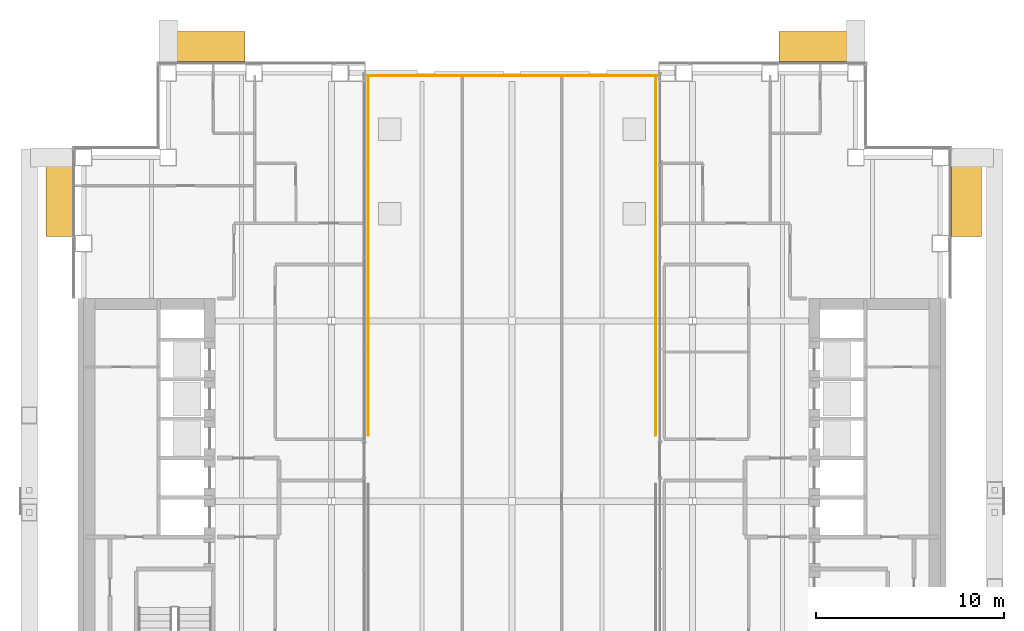
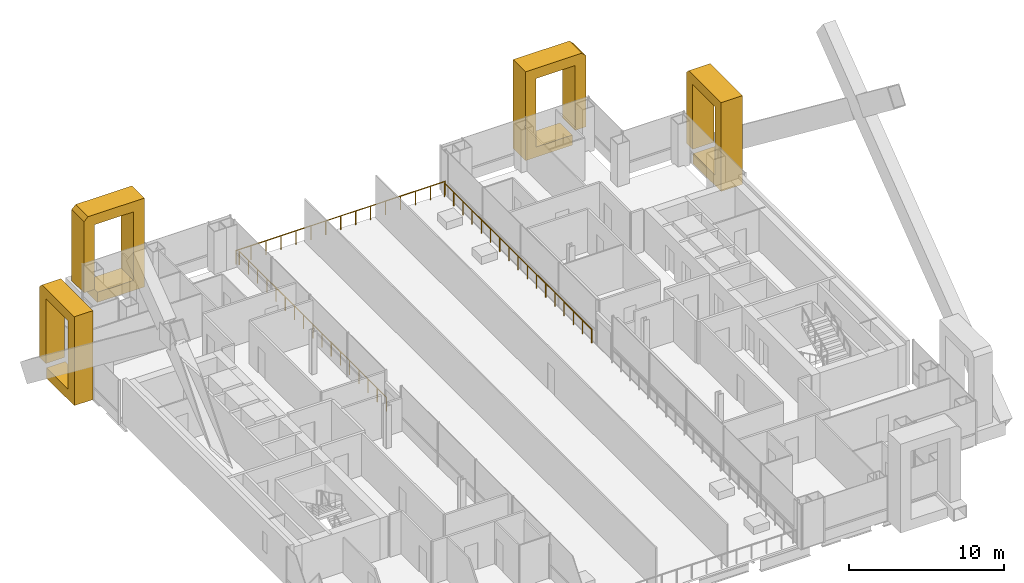
# One storey, part 19 of 20: 4 coverings, 3 railings.
"""IFC4 building model written with IfcOpenShell, lengths in metres."""

import ifcopenshell
import ifcopenshell.guid

model = None  # the IFC model being written
_history = None  # IfcOwnerHistory: only IFC2X3 demands one
_inside = {}  # id of a spatial element -> (the spatial element, [elements in it])
_under = {}  # id of a project, library or spatial element -> (it, [spatial elements below it])
_declared = {}  # id of a project -> (the project, [libraries it declares])
_typed = {}  # id of a type object -> (the type object, [elements of that type])
_made_of = {}  # id of a material, layer set ... -> (it, [elements and type objects made of it])


def new_model(schema):
    """Start an empty IFC model of exactly this schema.

    Asked for "IFC4X3", IfcOpenShell would pick the latest addendum, in which some entities
    have other attributes; the version numbers below select the first issue.
    IFC2X3 requires an IfcOwnerHistory on every rooted entity: one is made here for all.
    """
    global model, _history
    if schema == "IFC4X3":
        model = ifcopenshell.file(schema_version=(4, 3, 0, 0))
    else:
        model = ifcopenshell.file(schema=schema)
    _inside.clear()
    _under.clear()
    _declared.clear()
    _typed.clear()
    _made_of.clear()
    _history = None
    if model.schema == "IFC2X3":
        org = make("IfcOrganization", Name="unknown")
        user = make(
            "IfcPersonAndOrganization",
            ThePerson=make("IfcPerson", FamilyName="unknown"),
            TheOrganization=org,
        )
        app = make(
            "IfcApplication",
            ApplicationDeveloper=org,
            Version="unknown",
            ApplicationFullName="unknown",
            ApplicationIdentifier="unknown",
        )
        _history = make(
            "IfcOwnerHistory",
            OwningUser=user,
            OwningApplication=app,
            ChangeAction="ADDED",
            CreationDate=0,
        )
    return model


def make(cls, **values):
    """One entity of the class cls with the attributes given. An attribute that is None is left unset."""
    return model.create_entity(
        cls, **{name: value for name, value in values.items() if value is not None}
    )


def rooted(cls, **values):
    """An entity with a GlobalId (a new one), such as an element, a storey or a relation."""
    return make(cls, GlobalId=ifcopenshell.guid.new(), OwnerHistory=_history, **values)


def si_unit(unit_type, name, prefix=None):
    """IfcSIUnit, for example si_unit("LENGTHUNIT", "METRE", prefix="MILLI")."""
    return make("IfcSIUnit", UnitType=unit_type, Prefix=prefix, Name=name)


def assignment(units):
    """IfcUnitAssignment: the units of a project."""
    return None if units is None else make("IfcUnitAssignment", Units=units)


def point(xyz):
    """IfcCartesianPoint."""
    return None if xyz is None else make("IfcCartesianPoint", Coordinates=xyz)


def direction(xyz):
    """IfcDirection."""
    return None if xyz is None else make("IfcDirection", DirectionRatios=xyz)


def frame(location, z_axis=None, x_axis=None):
    """IfcAxis2Placement3D, a coordinate frame: its origin and axes. An axis left out is left unset."""
    return make(
        "IfcAxis2Placement3D",
        Location=point(location),
        Axis=direction(z_axis),
        RefDirection=direction(x_axis),
    )


def frame_2d(location, x_axis=None):
    """IfcAxis2Placement2D, a coordinate frame in the plane: its origin and x axis."""
    return make(
        "IfcAxis2Placement2D", Location=point(location), RefDirection=direction(x_axis)
    )


def origin():
    """The frame at (0, 0, 0) with its axes left unset."""
    return frame((0.0, 0.0, 0.0))


def origin_2d():
    """The frame at (0, 0) in the plane with its x axis left unset."""
    return frame_2d((0.0, 0.0))


def place(relative_to, where):
    """IfcLocalPlacement: puts the frame where relative to a parent placement (None: the world)."""
    return make(
        "IfcLocalPlacement", PlacementRelTo=relative_to, RelativePlacement=where
    )


def context(
    kind, dimensions, precision=None, world=None, true_north=None, identifier=None
):
    """IfcGeometricRepresentationContext, for example the 3D "Model" context."""
    return make(
        "IfcGeometricRepresentationContext",
        ContextIdentifier=identifier,
        ContextType=kind,
        CoordinateSpaceDimension=dimensions,
        Precision=precision,
        WorldCoordinateSystem=world,
        TrueNorth=true_north,
    )


def subcontext(parent, identifier, kind, view, scale=None):
    """IfcGeometricRepresentationSubContext, for example "Body" below "Model"."""
    return make(
        "IfcGeometricRepresentationSubContext",
        ContextIdentifier=identifier,
        ContextType=kind,
        ParentContext=parent,
        TargetScale=scale,
        TargetView=view,
    )


def project(units=None, contexts=None):
    """IfcProject with its units and contexts."""
    return rooted(
        "IfcProject",
        Name="project",
        RepresentationContexts=contexts,
        UnitsInContext=assignment(units),
    )


def spatial(cls, under=None, at=None, **own):
    """A site, building, storey or space (cls), placed at a placement, below another one or the project."""
    s = rooted(cls, ObjectPlacement=at, **own)
    if under is not None:
        _under.setdefault(under.id(), (under, []))[1].append(s)
    return s


def polyline(points):
    """IfcPolyline through the points."""
    return make("IfcPolyline", Points=[point(p) for p in points])


def profile(cls, at=None, kind="AREA", **sizes):
    """A parametric profile (cls). Its sizes go by their IFC names, for example OverallWidth=200.0."""
    return make(cls, ProfileType=kind, Position=at, **sizes)


def circle(**sizes):
    """IfcCircleProfileDef."""
    return profile("IfcCircleProfileDef", **sizes)


def outline(outer, holes=None, kind="AREA"):
    """IfcArbitraryClosedProfileDef: a profile drawn as a closed curve; with holes, ...WithVoids."""
    if holes is None:
        return make("IfcArbitraryClosedProfileDef", ProfileType=kind, OuterCurve=outer)
    return make(
        "IfcArbitraryProfileDefWithVoids",
        ProfileType=kind,
        OuterCurve=outer,
        InnerCurves=holes,
    )


def extrude(swept, where, along, depth):
    """IfcExtrudedAreaSolid: the profile swept, set in the frame where, extruded along a direction by depth."""
    return make(
        "IfcExtrudedAreaSolid",
        SweptArea=swept,
        Position=where,
        ExtrudedDirection=direction(along),
        Depth=depth,
    )


def shape(context_of_items, identifier, shape_type, items):
    """IfcShapeRepresentation: the items that make up one representation, for example the "Body"."""
    return make(
        "IfcShapeRepresentation",
        ContextOfItems=context_of_items,
        RepresentationIdentifier=identifier,
        RepresentationType=shape_type,
        Items=items,
    )


def material(Name=None, Category=None):
    """IfcMaterial."""
    return make("IfcMaterial", Name=Name, Category=Category)


def made_of(thing, what):
    """Note that an element or type object is made of a material, layer set ...; save() writes the relation."""
    if what is not None:
        _made_of.setdefault(what.id(), (what, []))[1].append(thing)
    return thing


def type_object(cls, material=None, **own):
    """A type object (cls), such as IfcWallType, which elements share."""
    return made_of(rooted(cls, **own), material)


def element(
    cls,
    number,
    at=None,
    inside=None,
    cuts=None,
    type_object=None,
    material=None,
    context=None,
    identifier="Body",
    shape_type=None,
    held_by="IfcProductDefinitionShape",
    body=None,
    shapes=None,
    **own,
):
    """One element of the class cls, such as IfcWall. Its Tag is "e" and its number.

    at: its placement. inside: the storey or other place that contains it. cuts: it is an
    opening in that element (IfcRelVoidsElement). A single representation is given by context,
    identifier, shape_type and body (its items); several are given by shapes. held_by: the class
    of the entity that holds the representations. save() writes the other relations.
    """
    e = rooted(cls, Tag="e%d" % number, ObjectPlacement=at, **own)
    if body is not None:
        shapes = [shape(context, identifier, shape_type, body)]
    if shapes is not None:
        e.Representation = make(held_by, Representations=shapes)
    if inside is not None:
        _inside.setdefault(inside.id(), (inside, []))[1].append(e)
    if cuts is not None:
        rooted(
            "IfcRelVoidsElement", RelatingBuildingElement=cuts, RelatedOpeningElement=e
        )
    if type_object is not None:
        _typed.setdefault(type_object.id(), (type_object, []))[1].append(e)
    return made_of(e, material)


def aggregate(whole, parts):
    """IfcRelAggregates: a whole, such as a stair, and the parts it consists of."""
    return rooted("IfcRelAggregates", RelatingObject=whole, RelatedObjects=parts)


def save(model, path):
    """Write the relations noted so far, then the file.

    IfcRelAggregates (storeys below a building ...), IfcRelContainedInSpatialStructure (elements
    in a storey), IfcRelDefinesByType, IfcRelAssociatesMaterial and IfcRelDeclares: one each for
    every whole, place, type object, material and project.
    """
    for whole, parts in _under.values():
        aggregate(whole, parts)
    for where, things in _inside.values():
        rooted(
            "IfcRelContainedInSpatialStructure",
            RelatedElements=things,
            RelatingStructure=where,
        )
    for kind, things in _typed.values():
        rooted("IfcRelDefinesByType", RelatedObjects=things, RelatingType=kind)
    for what, things in _made_of.values():
        rooted("IfcRelAssociatesMaterial", RelatedObjects=things, RelatingMaterial=what)
    for by, libraries in _declared.values():
        rooted("IfcRelDeclares", RelatingContext=by, RelatedDefinitions=libraries)
    model.write(path)


model = new_model("IFC4")

# Units and contexts
model_context = context("Model", 3, precision=1e-05, world=origin(), true_north=direction((0.0, 1.0)))
body_context = subcontext(model_context, "Body", "Model", "MODEL_VIEW")
ifc_project = project(units=[si_unit("LENGTHUNIT", "METRE"), si_unit("AREAUNIT", "SQUARE_METRE"), si_unit("VOLUMEUNIT", "CUBIC_METRE"), si_unit("PLANEANGLEUNIT", "RADIAN"), si_unit("MASSUNIT", "GRAM", prefix="KILO")], contexts=[model_context])

# Site, building, storey
site_placement = place(None, origin())
site = spatial("IfcSite", under=ifc_project, at=site_placement, CompositionType="ELEMENT")
building_placement = place(site_placement, origin())
building = spatial("IfcBuilding", under=site, at=building_placement, Name="Cobrizo Arcos Hotel Tower", CompositionType="ELEMENT")
storey_placement = place(building_placement, frame((0.0, 0.0, 117.0)))
storey = spatial("IfcBuildingStorey", under=building, at=storey_placement, Name="L29", CompositionType="ELEMENT", Elevation=117.0)

# Coverings
ifc_material_1 = material(Name="Aluminium 6063-T6 anodised bronze", Category="aluminium")
covering_type_1 = type_object("IfcCoveringType", Name="FIN-F 1400", PredefinedType="CLADDING", material=ifc_material_1)
covering_1_placement = place(storey_placement, frame((-23.39990234375, 18.550048828125, 0.0), z_axis=(-1.0, 0.0, 0.0), x_axis=(0.0, -1.0, 0.0)))
element("IfcCovering", 1, at=covering_1_placement, inside=storey, type_object=covering_type_1, Name="Fin frame 164", PredefinedType="CLADDING", context=body_context, shape_type="SweptSolid", body=[
    extrude(outline(polyline([(0.0, 6.699951171875), (0.0, 1.10205078125), (0.800048828125, 1.10205078125), (0.800048828125, 6.199951171875), (3.66259765625, 6.199951171875), (3.66259765625, 0.800048828125), (0.85205078125, 0.800048828125), (0.85205078125, 0.0), (4.46240234375, 0.0), (4.46240234375, 7.0), (0.300048828125, 7.0), (0.0, 6.699951171875)])), origin(), (0.0, 0.0, 1.0), 1.400146484375),
])
covering_type_2 = type_object("IfcCoveringType", Name="FIN-F 1600", PredefinedType="CLADDING", material=ifc_material_1)
covering_2_placement = place(storey_placement, frame((18.699951171875, 23.39990234375, 0.0), z_axis=(0.0, 1.0, 0.0), x_axis=(-1.0, 0.0, 0.0)))
element("IfcCovering", 2, at=covering_2_placement, inside=storey, type_object=covering_type_2, Name="Fin frame 100", PredefinedType="CLADDING", context=body_context, shape_type="SweptSolid", body=[
    extrude(outline(polyline([(0.0, 6.699951171875), (0.0, 1.10205078125), (0.800048828125, 1.10205078125), (0.800048828125, 6.199951171875), (3.699951171875, 6.199951171875), (3.699951171875, 0.800048828125), (1.001953125, 0.800048828125), (1.001953125, 0.0), (4.5, 0.0), (4.5, 7.0), (0.300048828125, 7.0), (0.0, 6.699951171875)])), origin(), (0.0, 0.0, 1.0), 1.60009765625),
])
covering_3_placement = place(storey_placement, frame((-14.199951171875, 23.39990234375, 0.0), z_axis=(0.0, 1.0, 0.0), x_axis=(-1.0, 0.0, 0.0)))
element("IfcCovering", 3, at=covering_3_placement, inside=storey, type_object=covering_type_2, Name="Fin frame 101", PredefinedType="CLADDING", context=body_context, shape_type="SweptSolid", body=[
    extrude(outline(polyline([(0.0, 0.0), (3.498046875, 0.0), (3.498046875, 0.800048828125), (0.800048828125, 0.800048828125), (0.800048828125, 6.199951171875), (3.699951171875, 6.199951171875), (3.699951171875, 1.10205078125), (4.5, 1.10205078125), (4.5, 6.699951171875), (4.199951171875, 7.0), (0.0, 7.0), (0.0, 0.0)])), origin(), (0.0, 0.0, 1.0), 1.60009765625),
])
covering_4_placement = place(storey_placement, frame((23.39990234375, 14.08740234375, 0.0), z_axis=(1.0, 0.0, 0.0), x_axis=(0.0, 1.0, 0.0)))
element("IfcCovering", 4, at=covering_4_placement, inside=storey, type_object=covering_type_2, Name="Fin frame 122", PredefinedType="CLADDING", context=body_context, shape_type="SweptSolid", body=[
    extrude(outline(polyline([(0.0, 0.0), (3.610595703125, 0.0), (3.610595703125, 0.800048828125), (0.800048828125, 0.800048828125), (0.800048828125, 6.199951171875), (3.66259765625, 6.199951171875), (3.66259765625, 1.10205078125), (4.46240234375, 1.10205078125), (4.46240234375, 6.699951171875), (4.16259765625, 7.0), (0.0, 7.0), (0.0, 0.0)])), origin(), (0.0, 0.0, 1.0), 1.60009765625),
])

# Railings
ifc_material_2 = material(Name="Stainless steel railing", Category="steel")
railing_type = type_object("IfcRailingType", Name="Garden deck guard 1100", PredefinedType="GUARDRAIL", material=ifc_material_2)
railing_1_placement = place(storey_placement, frame((-7.800048828125, 22.64990234375, 0.0)))
element("IfcRailing", 5, at=railing_1_placement, inside=storey, type_object=railing_type, Name="Garden deck north guard", PredefinedType="GUARDRAIL", context=body_context, shape_type="SweptSolid", body=[
    extrude(circle(Radius=0.02392578125, at=origin_2d()), frame((0.0, 0.0, 1.076171875), z_axis=(1.0, 0.0, 0.0), x_axis=(0.0, 1.0, 0.0)), (0.0, 0.0, 1.0), 15.60009765625),
    extrude(circle(Radius=0.02099609375, at=origin_2d()), origin(), (0.0, 0.0, 1.0), 1.052001953125),
    extrude(circle(Radius=0.02099609375, at=origin_2d()), frame((1.1142578125, 0.0, 0.0)), (0.0, 0.0, 1.0), 1.052001953125),
    extrude(circle(Radius=0.02099609375, at=origin_2d()), frame((2.228515625, 0.0, 0.0)), (0.0, 0.0, 1.0), 1.052001953125),
    extrude(circle(Radius=0.02099609375, at=origin_2d()), frame((3.3427734375, 0.0, 0.0)), (0.0, 0.0, 1.0), 1.052001953125),
    extrude(circle(Radius=0.02099609375, at=origin_2d()), frame((4.457275390625, 0.0, 0.0)), (0.0, 0.0, 1.0), 1.052001953125),
    extrude(circle(Radius=0.02099609375, at=origin_2d()), frame((5.571533203125, 0.0, 0.0)), (0.0, 0.0, 1.0), 1.052001953125),
    extrude(circle(Radius=0.02099609375, at=origin_2d()), frame((6.685791015625, 0.0, 0.0)), (0.0, 0.0, 1.0), 1.052001953125),
    extrude(circle(Radius=0.02099609375, at=origin_2d()), frame((7.800048828125, 0.0, 0.0)), (0.0, 0.0, 1.0), 1.052001953125),
    extrude(circle(Radius=0.02099609375, at=origin_2d()), frame((8.914306640625, 0.0, 0.0)), (0.0, 0.0, 1.0), 1.052001953125),
    extrude(circle(Radius=0.02099609375, at=origin_2d()), frame((10.028564453125, 0.0, 0.0)), (0.0, 0.0, 1.0), 1.052001953125),
    extrude(circle(Radius=0.02099609375, at=origin_2d()), frame((11.142822265625, 0.0, 0.0)), (0.0, 0.0, 1.0), 1.052001953125),
    extrude(circle(Radius=0.02099609375, at=origin_2d()), frame((12.25732421875, 0.0, 0.0)), (0.0, 0.0, 1.0), 1.052001953125),
    extrude(circle(Radius=0.02099609375, at=origin_2d()), frame((13.37158203125, 0.0, 0.0)), (0.0, 0.0, 1.0), 1.052001953125),
    extrude(circle(Radius=0.02099609375, at=origin_2d()), frame((14.48583984375, 0.0, 0.0)), (0.0, 0.0, 1.0), 1.052001953125),
    extrude(circle(Radius=0.02099609375, at=origin_2d()), frame((15.60009765625, 0.0, 0.0)), (0.0, 0.0, 1.0), 1.052001953125),
])
railing_2_placement = place(storey_placement, frame((7.64990234375, 3.5, 0.0)))
element("IfcRailing", 6, at=railing_2_placement, inside=storey, type_object=railing_type, Name="Garden deck east guard", PredefinedType="GUARDRAIL", context=body_context, shape_type="SweptSolid", body=[
    extrude(circle(Radius=0.02392578125, at=origin_2d()), frame((0.0, 0.0, 1.076171875), z_axis=(0.0, 1.0, 0.0), x_axis=(-1.0, 0.0, 0.0)), (0.0, 0.0, 1.0), 19.0),
    extrude(circle(Radius=0.02099609375, at=origin_2d()), origin(), (0.0, 0.0, 1.0), 1.052001953125),
    extrude(circle(Radius=0.02099609375, at=origin_2d()), frame((0.0, 1.1875, 0.0)), (0.0, 0.0, 1.0), 1.052001953125),
    extrude(circle(Radius=0.02099609375, at=origin_2d()), frame((0.0, 2.375, 0.0)), (0.0, 0.0, 1.0), 1.052001953125),
    extrude(circle(Radius=0.02099609375, at=origin_2d()), frame((0.0, 3.5625, 0.0)), (0.0, 0.0, 1.0), 1.052001953125),
    extrude(circle(Radius=0.02099609375, at=origin_2d()), frame((0.0, 4.75, 0.0)), (0.0, 0.0, 1.0), 1.052001953125),
    extrude(circle(Radius=0.02099609375, at=origin_2d()), frame((0.0, 5.9375, 0.0)), (0.0, 0.0, 1.0), 1.052001953125),
    extrude(circle(Radius=0.02099609375, at=origin_2d()), frame((0.0, 7.125, 0.0)), (0.0, 0.0, 1.0), 1.052001953125),
    extrude(circle(Radius=0.02099609375, at=origin_2d()), frame((0.0, 8.3125, 0.0)), (0.0, 0.0, 1.0), 1.052001953125),
    extrude(circle(Radius=0.02099609375, at=origin_2d()), frame((0.0, 9.5, 0.0)), (0.0, 0.0, 1.0), 1.052001953125),
    extrude(circle(Radius=0.02099609375, at=origin_2d()), frame((0.0, 10.6875, 0.0)), (0.0, 0.0, 1.0), 1.052001953125),
    extrude(circle(Radius=0.02099609375, at=origin_2d()), frame((0.0, 11.875, 0.0)), (0.0, 0.0, 1.0), 1.052001953125),
    extrude(circle(Radius=0.02099609375, at=origin_2d()), frame((0.0, 13.0625, 0.0)), (0.0, 0.0, 1.0), 1.052001953125),
    extrude(circle(Radius=0.02099609375, at=origin_2d()), frame((0.0, 14.25, 0.0)), (0.0, 0.0, 1.0), 1.052001953125),
    extrude(circle(Radius=0.02099609375, at=origin_2d()), frame((0.0, 15.4375, 0.0)), (0.0, 0.0, 1.0), 1.052001953125),
    extrude(circle(Radius=0.02099609375, at=origin_2d()), frame((0.0, 16.625, 0.0)), (0.0, 0.0, 1.0), 1.052001953125),
    extrude(circle(Radius=0.02099609375, at=origin_2d()), frame((0.0, 17.8125, 0.0)), (0.0, 0.0, 1.0), 1.052001953125),
    extrude(circle(Radius=0.02099609375, at=origin_2d()), frame((0.0, 19.0, 0.0)), (0.0, 0.0, 1.0), 1.052001953125),
])
railing_3_placement = place(storey_placement, frame((-7.64990234375, 3.5, 0.0)))
element("IfcRailing", 7, at=railing_3_placement, inside=storey, type_object=railing_type, Name="Garden deck west guard", PredefinedType="GUARDRAIL", context=body_context, shape_type="SweptSolid", body=[
    extrude(circle(Radius=0.02392578125, at=origin_2d()), frame((0.0, 0.0, 1.076171875), z_axis=(0.0, 1.0, 0.0), x_axis=(-1.0, 0.0, 0.0)), (0.0, 0.0, 1.0), 19.0),
    extrude(circle(Radius=0.02099609375, at=origin_2d()), origin(), (0.0, 0.0, 1.0), 1.052001953125),
    extrude(circle(Radius=0.02099609375, at=origin_2d()), frame((0.0, 1.1875, 0.0)), (0.0, 0.0, 1.0), 1.052001953125),
    extrude(circle(Radius=0.02099609375, at=origin_2d()), frame((0.0, 2.375, 0.0)), (0.0, 0.0, 1.0), 1.052001953125),
    extrude(circle(Radius=0.02099609375, at=origin_2d()), frame((0.0, 3.5625, 0.0)), (0.0, 0.0, 1.0), 1.052001953125),
    extrude(circle(Radius=0.02099609375, at=origin_2d()), frame((0.0, 4.75, 0.0)), (0.0, 0.0, 1.0), 1.052001953125),
    extrude(circle(Radius=0.02099609375, at=origin_2d()), frame((0.0, 5.9375, 0.0)), (0.0, 0.0, 1.0), 1.052001953125),
    extrude(circle(Radius=0.02099609375, at=origin_2d()), frame((0.0, 7.125, 0.0)), (0.0, 0.0, 1.0), 1.052001953125),
    extrude(circle(Radius=0.02099609375, at=origin_2d()), frame((0.0, 8.3125, 0.0)), (0.0, 0.0, 1.0), 1.052001953125),
    extrude(circle(Radius=0.02099609375, at=origin_2d()), frame((0.0, 9.5, 0.0)), (0.0, 0.0, 1.0), 1.052001953125),
    extrude(circle(Radius=0.02099609375, at=origin_2d()), frame((0.0, 10.6875, 0.0)), (0.0, 0.0, 1.0), 1.052001953125),
    extrude(circle(Radius=0.02099609375, at=origin_2d()), frame((0.0, 11.875, 0.0)), (0.0, 0.0, 1.0), 1.052001953125),
    extrude(circle(Radius=0.02099609375, at=origin_2d()), frame((0.0, 13.0625, 0.0)), (0.0, 0.0, 1.0), 1.052001953125),
    extrude(circle(Radius=0.02099609375, at=origin_2d()), frame((0.0, 14.25, 0.0)), (0.0, 0.0, 1.0), 1.052001953125),
    extrude(circle(Radius=0.02099609375, at=origin_2d()), frame((0.0, 15.4375, 0.0)), (0.0, 0.0, 1.0), 1.052001953125),
    extrude(circle(Radius=0.02099609375, at=origin_2d()), frame((0.0, 16.625, 0.0)), (0.0, 0.0, 1.0), 1.052001953125),
    extrude(circle(Radius=0.02099609375, at=origin_2d()), frame((0.0, 17.8125, 0.0)), (0.0, 0.0, 1.0), 1.052001953125),
    extrude(circle(Radius=0.02099609375, at=origin_2d()), frame((0.0, 19.0, 0.0)), (0.0, 0.0, 1.0), 1.052001953125),
])

save(model, "model.ifc")
